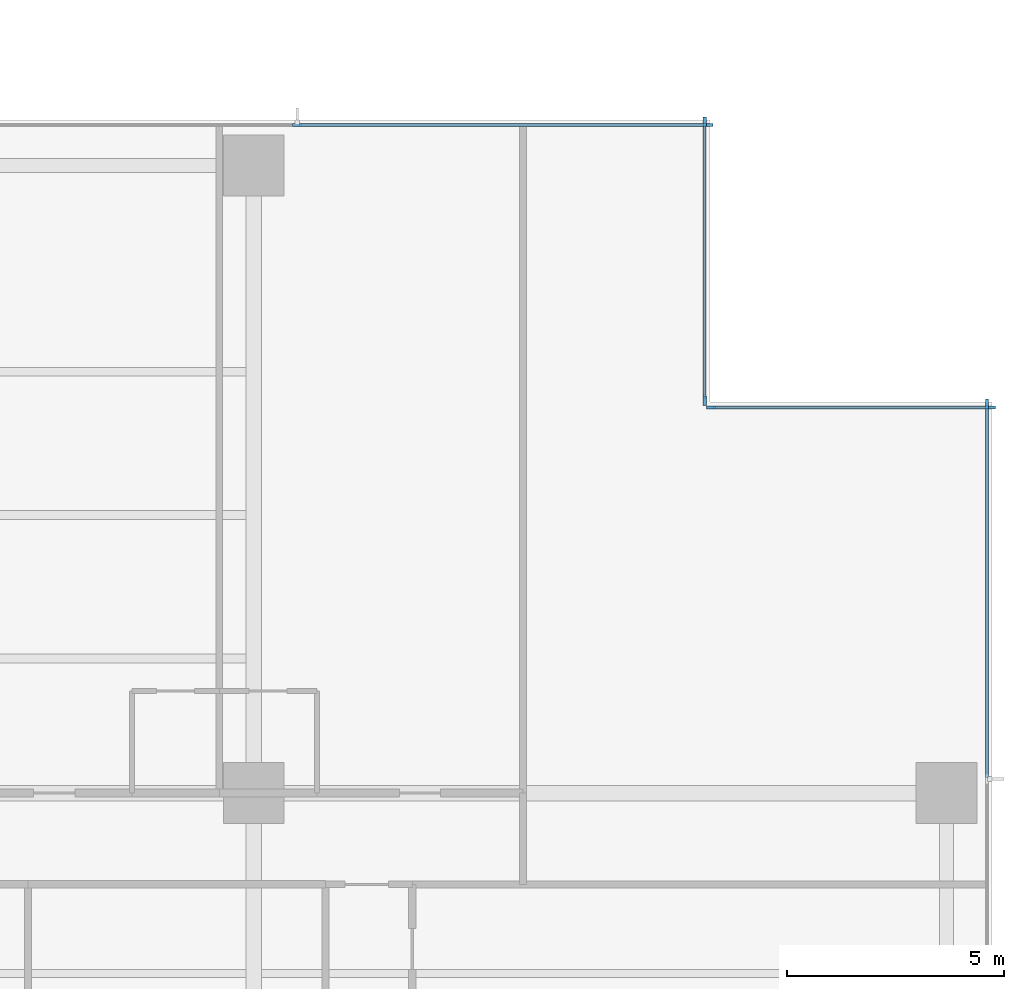
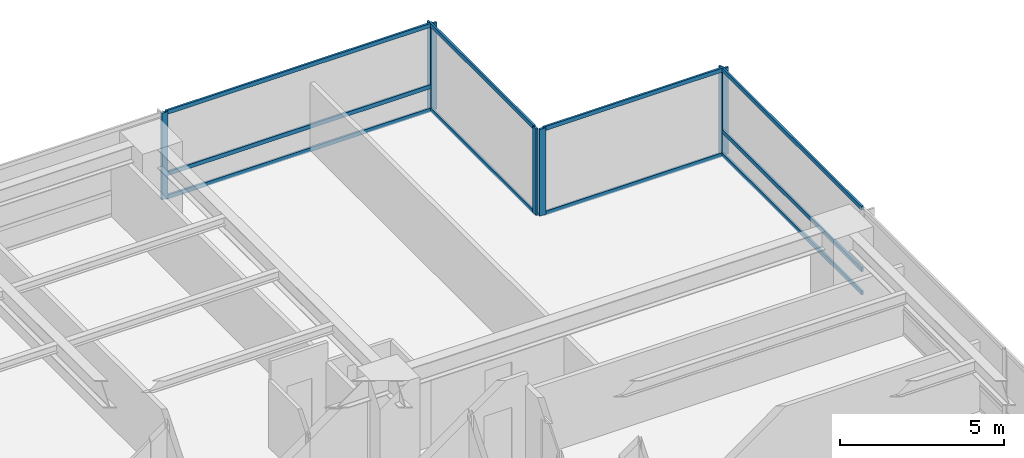
# One storey, part 5 of 18: 17 members, 4 elements without a shape of their own.
"""IFC4 building model written with IfcOpenShell, lengths in metres."""

from ifc_helpers import new_model, si_unit, direction, frame, origin, origin_2d, place, context, subcontext, project, spatial, rectangle, extrude, material, layer, layer_set, material_profile, profile_set, type_object, element, aggregate, save


model = new_model("IFC4")

# Units and contexts
model_context = context("Model", 3, precision=1e-05, world=origin(), true_north=direction((0.0, 1.0)))
body_context = subcontext(model_context, "Body", "Model", "MODEL_VIEW")
ifc_project = project(units=[si_unit("LENGTHUNIT", "METRE"), si_unit("AREAUNIT", "SQUARE_METRE"), si_unit("VOLUMEUNIT", "CUBIC_METRE"), si_unit("PLANEANGLEUNIT", "RADIAN"), si_unit("MASSUNIT", "GRAM", prefix="KILO")], contexts=[model_context])

# Site, building, storey
site_placement = place(None, origin())
site = spatial("IfcSite", under=ifc_project, at=site_placement, CompositionType="ELEMENT")
building_placement = place(site_placement, origin())
building = spatial("IfcBuilding", under=site, at=building_placement, Name="Qalmaran Belvedere Hotel", CompositionType="ELEMENT")
storey_placement = place(building_placement, frame((0.0, 0.0, 54.39990234375)))
storey = spatial("IfcBuildingStorey", under=building, at=storey_placement, Name="L13", CompositionType="ELEMENT", Elevation=54.39990234375)

# Curtain wall, member
ifc_material = material(Name="Anodised Bronze Aluminium", Category="aluminium")
ifc_layer = layer(ifc_material, 0.2099609375, Name="Anodised Bronze Aluminium")
ifc_layer_set = layer_set([ifc_layer], Name="Anodised Bronze Aluminium")
curtain_wall_type = type_object("IfcCurtainWallType", Name="CW2-TOWER-LOWER", PredefinedType="NOTDEFINED", material=ifc_layer_set)
curtain_wall_1_placement = place(storey_placement, origin())
curtain_wall_1 = element("IfcCurtainWall", 1, at=curtain_wall_1_placement, inside=storey, type_object=curtain_wall_type, Name="L13 Curtain Wall CW2", PredefinedType="NOTDEFINED")
ifc_material_profile_1 = material_profile(ifc_material, rectangle(XDim=0.074951171875, YDim=0.219970703125, at=origin_2d()), Name="CWM75X220")
ifc_profile_set_1 = profile_set([ifc_material_profile_1], Name="Anodised Bronze Aluminium")
member_type_1 = type_object("IfcMemberType", Name="CWM-75X220", PredefinedType="MULLION", material=ifc_profile_set_1)
member_1_placement = place(storey_placement, frame((61.679931640625, 41.96240234375, 0.0), z_axis=(0.0, 0.0, 1.0), x_axis=(-1.0, 0.0, 0.0)))
member_1 = element("IfcMember", 2, at=member_1_placement, type_object=member_type_1, Name="CW2 mullion 5", PredefinedType="MULLION", context=body_context, shape_type="SweptSolid", body=[
    extrude(rectangle(XDim=0.074951171875, YDim=0.219970703125, at=origin_2d()), origin(), (0.0, 0.0, 1.0), 3.22021484375),
])

# Curtain wall, members
curtain_wall_2_placement = place(storey_placement, origin())
curtain_wall_2 = element("IfcCurtainWall", 3, at=curtain_wall_2_placement, inside=storey, type_object=curtain_wall_type, Name="L13 Curtain Wall CW2", PredefinedType="NOTDEFINED")
member_2_placement = place(storey_placement, frame((61.762451171875, 41.8798828125, 0.0), z_axis=(0.0, 0.0, 1.0), x_axis=(0.0, -1.0, 0.0)))
member_2 = element("IfcMember", 4, at=member_2_placement, type_object=member_type_1, Name="CW2 mullion 1", PredefinedType="MULLION", context=body_context, shape_type="SweptSolid", body=[
    extrude(rectangle(XDim=0.074951171875, YDim=0.219970703125, at=origin_2d()), origin(), (0.0, 0.0, 1.0), 3.22021484375),
])
member_3_placement = place(storey_placement, frame((55.33740234375, 41.8798828125, 0.0), z_axis=(0.0, 0.0, 1.0), x_axis=(0.0, -1.0, 0.0)))
member_3 = element("IfcMember", 5, at=member_3_placement, type_object=member_type_1, Name="CW2 mullion 2", PredefinedType="MULLION", context=body_context, shape_type="SweptSolid", body=[
    extrude(rectangle(XDim=0.074951171875, YDim=0.219970703125, at=origin_2d()), origin(), (0.0, 0.0, 1.0), 3.22021484375),
])

curtain_wall_3_placement = place(storey_placement, origin())
curtain_wall_3 = element("IfcCurtainWall", 6, at=curtain_wall_3_placement, inside=storey, type_object=curtain_wall_type, Name="L13 Curtain Wall CW2", PredefinedType="NOTDEFINED")
member_4_placement = place(storey_placement, frame((55.179931640625, 42.03759765625, 0.0), z_axis=(0.0, 0.0, 1.0), x_axis=(-1.0, 0.0, 0.0)))
member_4 = element("IfcMember", 7, at=member_4_placement, type_object=member_type_1, Name="CW2 mullion 1", PredefinedType="MULLION", context=body_context, shape_type="SweptSolid", body=[
    extrude(rectangle(XDim=0.074951171875, YDim=0.219970703125, at=origin_2d()), origin(), (0.0, 0.0, 1.0), 3.22021484375),
])
member_5_placement = place(storey_placement, frame((55.179931640625, 48.46240234375, 0.0), z_axis=(0.0, 0.0, 1.0), x_axis=(-1.0, 0.0, 0.0)))
member_5 = element("IfcMember", 8, at=member_5_placement, type_object=member_type_1, Name="CW2 mullion 2", PredefinedType="MULLION", context=body_context, shape_type="SweptSolid", body=[
    extrude(rectangle(XDim=0.074951171875, YDim=0.219970703125, at=origin_2d()), origin(), (0.0, 0.0, 1.0), 3.22021484375),
])

curtain_wall_4_placement = place(storey_placement, origin())
curtain_wall_4 = element("IfcCurtainWall", 9, at=curtain_wall_4_placement, inside=storey, type_object=curtain_wall_type, Name="L13 Curtain Wall CW2", PredefinedType="NOTDEFINED")
member_6_placement = place(storey_placement, frame((55.262451171875, 48.3798828125, 0.0), z_axis=(0.0, 0.0, 1.0), x_axis=(0.0, -1.0, 0.0)))
member_6 = element("IfcMember", 10, at=member_6_placement, type_object=member_type_1, Name="CW2 mullion 1", PredefinedType="MULLION", context=body_context, shape_type="SweptSolid", body=[
    extrude(rectangle(XDim=0.074951171875, YDim=0.219970703125, at=origin_2d()), origin(), (0.0, 0.0, 1.0), 3.22021484375),
])
member_7_placement = place(storey_placement, frame((45.800048828125, 48.3798828125, 0.0), z_axis=(0.0, 0.0, 1.0), x_axis=(0.0, -1.0, 0.0)))
member_7 = element("IfcMember", 11, at=member_7_placement, type_object=member_type_1, Name="CW2 mullion 2", PredefinedType="MULLION", context=body_context, shape_type="SweptSolid", body=[
    extrude(rectangle(XDim=0.074951171875, YDim=0.219970703125, at=origin_2d()), origin(), (0.0, 0.0, 1.0), 3.22021484375),
])

# Member
ifc_material_profile_2 = material_profile(ifc_material, rectangle(XDim=0.070068359375, YDim=0.14990234375, at=origin_2d()), Name="CWT70X150")
ifc_profile_set_2 = profile_set([ifc_material_profile_2], Name="Anodised Bronze Aluminium")
member_type_2 = type_object("IfcMemberType", Name="CWT-70X150", PredefinedType="USERDEFINED", material=ifc_profile_set_2)
member_8_placement = place(storey_placement, frame((61.679931640625, 33.362548828125, 0.03515625), z_axis=(0.0, 1.0, 0.0), x_axis=(-1.0, 0.0, 0.0)))
member_8 = element("IfcMember", 12, at=member_8_placement, type_object=member_type_2, Name="CW2 transom 4.1", ObjectType="TRANSOM", PredefinedType="USERDEFINED", context=body_context, shape_type="SweptSolid", body=[
    extrude(rectangle(XDim=0.070068359375, YDim=0.14990234375, at=origin_2d()), origin(), (0.0, 0.0, 1.0), 8.5625),
])

member_9_placement = place(storey_placement, frame((61.679931640625, 33.362548828125, 0.901611328125), z_axis=(0.0, 1.0, 0.0), x_axis=(-1.0, 0.0, 0.0)))
member_9 = element("IfcMember", 13, at=member_9_placement, type_object=member_type_2, Name="CW2 transom 4.2", ObjectType="TRANSOM", PredefinedType="USERDEFINED", context=body_context, shape_type="SweptSolid", body=[
    extrude(rectangle(XDim=0.070068359375, YDim=0.14990234375, at=origin_2d()), origin(), (0.0, 0.0, 1.0), 8.5625),
])

member_10_placement = place(storey_placement, frame((61.679931640625, 33.362548828125, 3.18505859375), z_axis=(0.0, 1.0, 0.0), x_axis=(-1.0, 0.0, 0.0)))
member_10 = element("IfcMember", 14, at=member_10_placement, type_object=member_type_2, Name="CW2 transom 4.3", ObjectType="TRANSOM", PredefinedType="USERDEFINED", context=body_context, shape_type="SweptSolid", body=[
    extrude(rectangle(XDim=0.070068359375, YDim=0.14990234375, at=origin_2d()), origin(), (0.0, 0.0, 1.0), 8.5625),
])

aggregate(curtain_wall_1, [member_1, member_8, member_9, member_10])

member_11_placement = place(storey_placement, frame((61.72509765625, 41.8798828125, 0.03515625), z_axis=(-1.0, 0.0, 0.0), x_axis=(0.0, -1.0, 0.0)))
member_11 = element("IfcMember", 15, at=member_11_placement, type_object=member_type_2, Name="CW2 transom 1.1", ObjectType="TRANSOM", PredefinedType="USERDEFINED", context=body_context, shape_type="SweptSolid", body=[
    extrude(rectangle(XDim=0.070068359375, YDim=0.14990234375, at=origin_2d()), origin(), (0.0, 0.0, 1.0), 6.35009765625),
])

member_12_placement = place(storey_placement, frame((61.72509765625, 41.8798828125, 3.18505859375), z_axis=(-1.0, 0.0, 0.0), x_axis=(0.0, -1.0, 0.0)))
member_12 = element("IfcMember", 16, at=member_12_placement, type_object=member_type_2, Name="CW2 transom 1.2", ObjectType="TRANSOM", PredefinedType="USERDEFINED", context=body_context, shape_type="SweptSolid", body=[
    extrude(rectangle(XDim=0.070068359375, YDim=0.14990234375, at=origin_2d()), origin(), (0.0, 0.0, 1.0), 6.35009765625),
])

aggregate(curtain_wall_2, [member_2, member_3, member_11, member_12])

member_13_placement = place(storey_placement, frame((55.179931640625, 42.074951171875, 0.03515625), z_axis=(0.0, 1.0, 0.0), x_axis=(-1.0, 0.0, 0.0)))
member_13 = element("IfcMember", 17, at=member_13_placement, type_object=member_type_2, Name="CW2 transom 1.1", ObjectType="TRANSOM", PredefinedType="USERDEFINED", context=body_context, shape_type="SweptSolid", body=[
    extrude(rectangle(XDim=0.070068359375, YDim=0.14990234375, at=origin_2d()), origin(), (0.0, 0.0, 1.0), 6.35009765625),
])

member_14_placement = place(storey_placement, frame((55.179931640625, 42.074951171875, 3.18505859375), z_axis=(0.0, 1.0, 0.0), x_axis=(-1.0, 0.0, 0.0)))
member_14 = element("IfcMember", 18, at=member_14_placement, type_object=member_type_2, Name="CW2 transom 1.2", ObjectType="TRANSOM", PredefinedType="USERDEFINED", context=body_context, shape_type="SweptSolid", body=[
    extrude(rectangle(XDim=0.070068359375, YDim=0.14990234375, at=origin_2d()), origin(), (0.0, 0.0, 1.0), 6.35009765625),
])

aggregate(curtain_wall_3, [member_4, member_5, member_13, member_14])

member_15_placement = place(storey_placement, frame((55.22509765625, 48.3798828125, 0.03515625), z_axis=(-1.0, 0.0, 0.0), x_axis=(0.0, -1.0, 0.0)))
member_15 = element("IfcMember", 19, at=member_15_placement, type_object=member_type_2, Name="CW2 transom 1.1", ObjectType="TRANSOM", PredefinedType="USERDEFINED", context=body_context, shape_type="SweptSolid", body=[
    extrude(rectangle(XDim=0.070068359375, YDim=0.14990234375, at=origin_2d()), origin(), (0.0, 0.0, 1.0), 9.3876953125),
])

member_16_placement = place(storey_placement, frame((55.22509765625, 48.3798828125, 0.901611328125), z_axis=(-1.0, 0.0, 0.0), x_axis=(0.0, -1.0, 0.0)))
member_16 = element("IfcMember", 20, at=member_16_placement, type_object=member_type_2, Name="CW2 transom 1.2", ObjectType="TRANSOM", PredefinedType="USERDEFINED", context=body_context, shape_type="SweptSolid", body=[
    extrude(rectangle(XDim=0.070068359375, YDim=0.14990234375, at=origin_2d()), origin(), (0.0, 0.0, 1.0), 9.3876953125),
])

member_17_placement = place(storey_placement, frame((55.22509765625, 48.3798828125, 3.18505859375), z_axis=(-1.0, 0.0, 0.0), x_axis=(0.0, -1.0, 0.0)))
member_17 = element("IfcMember", 21, at=member_17_placement, type_object=member_type_2, Name="CW2 transom 1.3", ObjectType="TRANSOM", PredefinedType="USERDEFINED", context=body_context, shape_type="SweptSolid", body=[
    extrude(rectangle(XDim=0.070068359375, YDim=0.14990234375, at=origin_2d()), origin(), (0.0, 0.0, 1.0), 9.3876953125),
])

aggregate(curtain_wall_4, [member_6, member_7, member_15, member_16, member_17])

save(model, "model.ifc")
